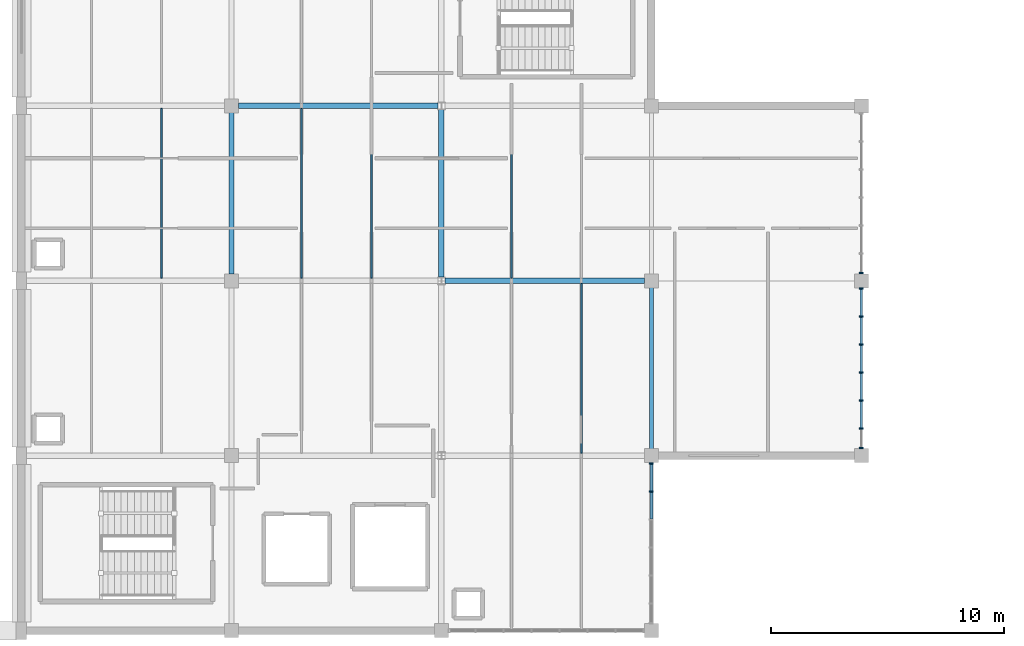
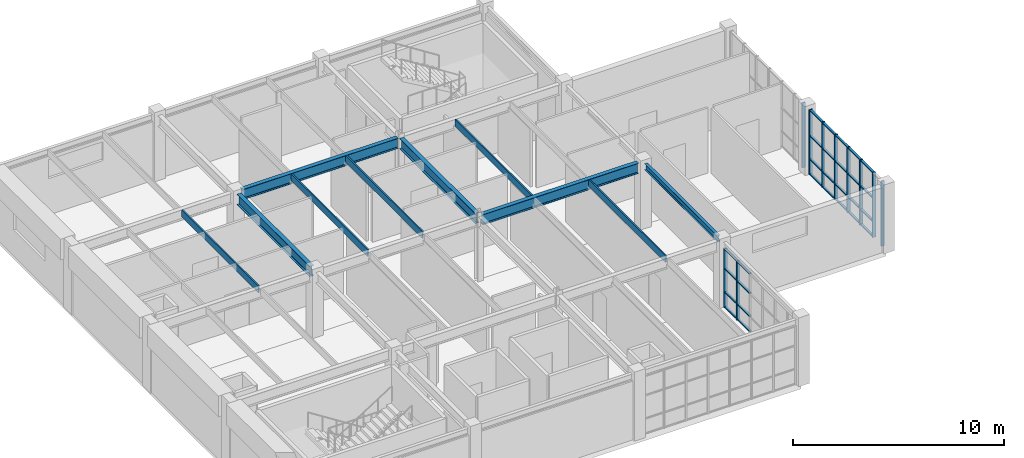
# One storey, part 21 of 76: 38 members, 10 beams, 3 elements without a shape of their own.
"""IFC4 building model written with IfcOpenShell, lengths in metres."""

import ifcopenshell
import ifcopenshell.guid

model = None  # the IFC model being written
_history = None  # IfcOwnerHistory: only IFC2X3 demands one
_inside = {}  # id of a spatial element -> (the spatial element, [elements in it])
_under = {}  # id of a project, library or spatial element -> (it, [spatial elements below it])
_declared = {}  # id of a project -> (the project, [libraries it declares])
_typed = {}  # id of a type object -> (the type object, [elements of that type])
_made_of = {}  # id of a material, layer set ... -> (it, [elements and type objects made of it])


def new_model(schema):
    """Start an empty IFC model of exactly this schema.

    Asked for "IFC4X3", IfcOpenShell would pick the latest addendum, in which some entities
    have other attributes; the version numbers below select the first issue.
    IFC2X3 requires an IfcOwnerHistory on every rooted entity: one is made here for all.
    """
    global model, _history
    if schema == "IFC4X3":
        model = ifcopenshell.file(schema_version=(4, 3, 0, 0))
    else:
        model = ifcopenshell.file(schema=schema)
    _inside.clear()
    _under.clear()
    _declared.clear()
    _typed.clear()
    _made_of.clear()
    _history = None
    if model.schema == "IFC2X3":
        org = make("IfcOrganization", Name="unknown")
        user = make(
            "IfcPersonAndOrganization",
            ThePerson=make("IfcPerson", FamilyName="unknown"),
            TheOrganization=org,
        )
        app = make(
            "IfcApplication",
            ApplicationDeveloper=org,
            Version="unknown",
            ApplicationFullName="unknown",
            ApplicationIdentifier="unknown",
        )
        _history = make(
            "IfcOwnerHistory",
            OwningUser=user,
            OwningApplication=app,
            ChangeAction="ADDED",
            CreationDate=0,
        )
    return model


def make(cls, **values):
    """One entity of the class cls with the attributes given. An attribute that is None is left unset."""
    return model.create_entity(
        cls, **{name: value for name, value in values.items() if value is not None}
    )


def rooted(cls, **values):
    """An entity with a GlobalId (a new one), such as an element, a storey or a relation."""
    return make(cls, GlobalId=ifcopenshell.guid.new(), OwnerHistory=_history, **values)


def si_unit(unit_type, name, prefix=None):
    """IfcSIUnit, for example si_unit("LENGTHUNIT", "METRE", prefix="MILLI")."""
    return make("IfcSIUnit", UnitType=unit_type, Prefix=prefix, Name=name)


def assignment(units):
    """IfcUnitAssignment: the units of a project."""
    return None if units is None else make("IfcUnitAssignment", Units=units)


def point(xyz):
    """IfcCartesianPoint."""
    return None if xyz is None else make("IfcCartesianPoint", Coordinates=xyz)


def direction(xyz):
    """IfcDirection."""
    return None if xyz is None else make("IfcDirection", DirectionRatios=xyz)


def frame(location, z_axis=None, x_axis=None):
    """IfcAxis2Placement3D, a coordinate frame: its origin and axes. An axis left out is left unset."""
    return make(
        "IfcAxis2Placement3D",
        Location=point(location),
        Axis=direction(z_axis),
        RefDirection=direction(x_axis),
    )


def frame_2d(location, x_axis=None):
    """IfcAxis2Placement2D, a coordinate frame in the plane: its origin and x axis."""
    return make(
        "IfcAxis2Placement2D", Location=point(location), RefDirection=direction(x_axis)
    )


def origin():
    """The frame at (0, 0, 0) with its axes left unset."""
    return frame((0.0, 0.0, 0.0))


def origin_2d():
    """The frame at (0, 0) in the plane with its x axis left unset."""
    return frame_2d((0.0, 0.0))


def place(relative_to, where):
    """IfcLocalPlacement: puts the frame where relative to a parent placement (None: the world)."""
    return make(
        "IfcLocalPlacement", PlacementRelTo=relative_to, RelativePlacement=where
    )


def context(
    kind, dimensions, precision=None, world=None, true_north=None, identifier=None
):
    """IfcGeometricRepresentationContext, for example the 3D "Model" context."""
    return make(
        "IfcGeometricRepresentationContext",
        ContextIdentifier=identifier,
        ContextType=kind,
        CoordinateSpaceDimension=dimensions,
        Precision=precision,
        WorldCoordinateSystem=world,
        TrueNorth=true_north,
    )


def subcontext(parent, identifier, kind, view, scale=None):
    """IfcGeometricRepresentationSubContext, for example "Body" below "Model"."""
    return make(
        "IfcGeometricRepresentationSubContext",
        ContextIdentifier=identifier,
        ContextType=kind,
        ParentContext=parent,
        TargetScale=scale,
        TargetView=view,
    )


def project(units=None, contexts=None):
    """IfcProject with its units and contexts."""
    return rooted(
        "IfcProject",
        Name="project",
        RepresentationContexts=contexts,
        UnitsInContext=assignment(units),
    )


def spatial(cls, under=None, at=None, **own):
    """A site, building, storey or space (cls), placed at a placement, below another one or the project."""
    s = rooted(cls, ObjectPlacement=at, **own)
    if under is not None:
        _under.setdefault(under.id(), (under, []))[1].append(s)
    return s


def profile(cls, at=None, kind="AREA", **sizes):
    """A parametric profile (cls). Its sizes go by their IFC names, for example OverallWidth=200.0."""
    return make(cls, ProfileType=kind, Position=at, **sizes)


def rectangle(**sizes):
    """IfcRectangleProfileDef."""
    return profile("IfcRectangleProfileDef", **sizes)


def i_section(**sizes):
    """IfcIShapeProfileDef."""
    return profile("IfcIShapeProfileDef", **sizes)


def extrude(swept, where, along, depth):
    """IfcExtrudedAreaSolid: the profile swept, set in the frame where, extruded along a direction by depth."""
    return make(
        "IfcExtrudedAreaSolid",
        SweptArea=swept,
        Position=where,
        ExtrudedDirection=direction(along),
        Depth=depth,
    )


def shape(context_of_items, identifier, shape_type, items):
    """IfcShapeRepresentation: the items that make up one representation, for example the "Body"."""
    return make(
        "IfcShapeRepresentation",
        ContextOfItems=context_of_items,
        RepresentationIdentifier=identifier,
        RepresentationType=shape_type,
        Items=items,
    )


def material(Name=None, Category=None):
    """IfcMaterial."""
    return make("IfcMaterial", Name=Name, Category=Category)


def layer(
    of_material, thickness, ventilated=None, Name=None, Category=None, Priority=None
):
    """IfcMaterialLayer: one layer of a wall or slab, of a material (None: an air gap)."""
    return make(
        "IfcMaterialLayer",
        Material=of_material,
        LayerThickness=thickness,
        IsVentilated=ventilated,
        Name=Name,
        Category=Category,
        Priority=Priority,
    )


def layer_set(layers, Name=None):
    """IfcMaterialLayerSet."""
    return make("IfcMaterialLayerSet", MaterialLayers=layers, LayerSetName=Name)


def material_profile(
    of_material, cross_section, Name=None, Category=None, Priority=None
):
    """IfcMaterialProfile: a cross section and its material."""
    return make(
        "IfcMaterialProfile",
        Name=Name,
        Material=of_material,
        Profile=cross_section,
        Priority=Priority,
        Category=Category,
    )


def profile_set(profiles, Name=None, composite=None):
    """IfcMaterialProfileSet."""
    return make(
        "IfcMaterialProfileSet",
        Name=Name,
        MaterialProfiles=profiles,
        CompositeProfile=composite,
    )


def made_of(thing, what):
    """Note that an element or type object is made of a material, layer set ...; save() writes the relation."""
    if what is not None:
        _made_of.setdefault(what.id(), (what, []))[1].append(thing)
    return thing


def type_object(cls, material=None, **own):
    """A type object (cls), such as IfcWallType, which elements share."""
    return made_of(rooted(cls, **own), material)


def element(
    cls,
    number,
    at=None,
    inside=None,
    cuts=None,
    type_object=None,
    material=None,
    context=None,
    identifier="Body",
    shape_type=None,
    held_by="IfcProductDefinitionShape",
    body=None,
    shapes=None,
    **own,
):
    """One element of the class cls, such as IfcWall. Its Tag is "e" and its number.

    at: its placement. inside: the storey or other place that contains it. cuts: it is an
    opening in that element (IfcRelVoidsElement). A single representation is given by context,
    identifier, shape_type and body (its items); several are given by shapes. held_by: the class
    of the entity that holds the representations. save() writes the other relations.
    """
    e = rooted(cls, Tag="e%d" % number, ObjectPlacement=at, **own)
    if body is not None:
        shapes = [shape(context, identifier, shape_type, body)]
    if shapes is not None:
        e.Representation = make(held_by, Representations=shapes)
    if inside is not None:
        _inside.setdefault(inside.id(), (inside, []))[1].append(e)
    if cuts is not None:
        rooted(
            "IfcRelVoidsElement", RelatingBuildingElement=cuts, RelatedOpeningElement=e
        )
    if type_object is not None:
        _typed.setdefault(type_object.id(), (type_object, []))[1].append(e)
    return made_of(e, material)


def aggregate(whole, parts):
    """IfcRelAggregates: a whole, such as a stair, and the parts it consists of."""
    return rooted("IfcRelAggregates", RelatingObject=whole, RelatedObjects=parts)


def save(model, path):
    """Write the relations noted so far, then the file.

    IfcRelAggregates (storeys below a building ...), IfcRelContainedInSpatialStructure (elements
    in a storey), IfcRelDefinesByType, IfcRelAssociatesMaterial and IfcRelDeclares: one each for
    every whole, place, type object, material and project.
    """
    for whole, parts in _under.values():
        aggregate(whole, parts)
    for where, things in _inside.values():
        rooted(
            "IfcRelContainedInSpatialStructure",
            RelatedElements=things,
            RelatingStructure=where,
        )
    for kind, things in _typed.values():
        rooted("IfcRelDefinesByType", RelatedObjects=things, RelatingType=kind)
    for what, things in _made_of.values():
        rooted("IfcRelAssociatesMaterial", RelatedObjects=things, RelatingMaterial=what)
    for by, libraries in _declared.values():
        rooted("IfcRelDeclares", RelatingContext=by, RelatedDefinitions=libraries)
    model.write(path)


model = new_model("IFC4")

# Units and contexts
model_context = context("Model", 3, precision=1e-05, world=origin(), true_north=direction((0.0, 1.0)))
body_context = subcontext(model_context, "Body", "Model", "MODEL_VIEW")
ifc_project = project(units=[si_unit("LENGTHUNIT", "METRE"), si_unit("AREAUNIT", "SQUARE_METRE"), si_unit("VOLUMEUNIT", "CUBIC_METRE"), si_unit("PLANEANGLEUNIT", "RADIAN"), si_unit("MASSUNIT", "GRAM", prefix="KILO")], contexts=[model_context])

# Site, building, storey
site_placement = place(None, origin())
site = spatial("IfcSite", under=ifc_project, at=site_placement, CompositionType="ELEMENT")
building_placement = place(site_placement, origin())
building = spatial("IfcBuilding", under=site, at=building_placement, Name="Marnridge Secondary College", CompositionType="ELEMENT")
storey_placement = place(building_placement, frame((0.0, 0.0, 4.5)))
storey = spatial("IfcBuildingStorey", under=building, at=storey_placement, Name="L01", CompositionType="ELEMENT", Elevation=4.5)

# Beams
ifc_material_1 = material(Name="Engineered timber LVL E13.2", Category="wood")
ifc_material_profile_1 = material_profile(ifc_material_1, rectangle(XDim=0.074951171875, YDim=0.39990234375, at=origin_2d()), Name="LVL 75x400")
ifc_profile_set_1 = profile_set([ifc_material_profile_1], Name="Engineered timber LVL E13.2")
beam_type_1 = type_object("IfcBeamType", Name="BM-LVL400-INT", PredefinedType="JOIST", material=ifc_profile_set_1)
for number, where, z_axis, x_axis, name in (
    (1, (96.0, 15.10791015625, 3.570068359375), (0.0, 1.0, 0.0), (-1.0, 0.0, 0.0), "Beam BJ-L01-0547"),
    (2, (102.0, 15.10791015625, 3.570068359375), (0.0, 1.0, 0.0), (-1.0, 0.0, 0.0), "Beam BJ-L01-0552"),
    (3, (105.0, 15.10791015625, 3.570068359375), (0.0, 1.0, 0.0), (-1.0, 0.0, 0.0), "Beam BJ-L01-0553"),
    (4, (114.0, 7.60791015625, 3.570068359375), (0.0, 1.0, 0.0), (-1.0, 0.0, 0.0), "Beam BJ-L01-0559"),
    (5, (111.0, 15.10791015625, 3.570068359375), (0.0, 1.0, 0.0), (-1.0, 0.0, 0.0), "Beam BJ-L01-0560"),
):
    element("IfcBeam", number, at=place(storey_placement, frame(where, z_axis=z_axis, x_axis=x_axis)), inside=storey, type_object=beam_type_1, Name=name, PredefinedType="JOIST", context=body_context, shape_type="SweptSolid", body=[
        extrude(rectangle(XDim=0.074951171875, YDim=0.39990234375, at=origin_2d()), origin(), (0.0, 0.0, 1.0), 7.2841796875),
    ])
ifc_material_2 = material(Name="Structural steel Grade 350 (AS/NZS 3679.1/.2, fy = 340-360 MPa)", Category="steel")
ifc_material_profile_2 = material_profile(ifc_material_2, i_section(OverallWidth=0.1708984375, OverallDepth=0.35205078125, WebThickness=0.0068359375, FlangeThickness=0.009765625, FilletRadius=0.011474609375, at=origin_2d()), Name="360UB44.7")
ifc_profile_set_2 = profile_set([ifc_material_profile_2], Name="Structural steel Grade 350 (AS/NZS 3679.1/.2, fy = 340-360 MPa)")
beam_type_2 = type_object("IfcBeamType", Name="BM-UB360-EXT", PredefinedType="SPANDREL", material=ifc_profile_set_2)
beam_1_placement = place(storey_placement, frame((117.0, 7.7939453125, 3.593994140625), z_axis=(0.0, 1.0, 0.0), x_axis=(-1.0, 0.0, 0.0)))
element("IfcBeam", 6, at=beam_1_placement, inside=storey, type_object=beam_type_2, Name="Beam BS-L01-0539", PredefinedType="SPANDREL", context=body_context, shape_type="SweptSolid", body=[
    extrude(i_section(OverallWidth=0.1708984375, OverallDepth=0.35205078125, WebThickness=0.0068359375, FlangeThickness=0.009765625, FilletRadius=0.011474609375, at=origin_2d()), origin(), (0.0, 0.0, 1.0), 6.912109375),
])
ifc_material_3 = material(Name="Structural steel Grade 350 (AS/NZS 3679.1/.2, fy = 340-360 MPa)", Category="steel")
ifc_material_profile_3 = material_profile(ifc_material_3, i_section(OverallWidth=0.2275390625, OverallDepth=0.602294921875, WebThickness=0.010498046875, FlangeThickness=0.014892578125, FilletRadius=0.013916015625, at=origin_2d()), Name="610UB101")
ifc_profile_set_3 = profile_set([ifc_material_profile_3], Name="Structural steel Grade 350 (AS/NZS 3679.1/.2, fy = 340-360 MPa)")
beam_type_3 = type_object("IfcBeamType", Name="BM-UB610A-INT", PredefinedType="BEAM", material=ifc_profile_set_3)
beam_2_placement = place(storey_placement, frame((99.0, 15.2939453125, 3.468994140625), z_axis=(0.0, 1.0, 0.0), x_axis=(-1.0, 0.0, 0.0)))
element("IfcBeam", 7, at=beam_2_placement, inside=storey, type_object=beam_type_3, Name="Beam B-L01-0523", PredefinedType="BEAM", context=body_context, shape_type="SweptSolid", body=[
    extrude(i_section(OverallWidth=0.2275390625, OverallDepth=0.602294921875, WebThickness=0.010498046875, FlangeThickness=0.014892578125, FilletRadius=0.013916015625, at=origin_2d()), origin(), (0.0, 0.0, 1.0), 6.912109375),
])
beam_3_placement = place(storey_placement, frame((99.2939453125, 22.5, 3.468994140625), z_axis=(1.0, 0.0, 0.0), x_axis=(0.0, 1.0, 0.0)))
element("IfcBeam", 8, at=beam_3_placement, inside=storey, type_object=beam_type_3, Name="Beam B-L01-0531", PredefinedType="BEAM", context=body_context, shape_type="SweptSolid", body=[
    extrude(i_section(OverallWidth=0.2275390625, OverallDepth=0.602294921875, WebThickness=0.010498046875, FlangeThickness=0.014892578125, FilletRadius=0.013916015625, at=origin_2d()), origin(), (0.0, 0.0, 1.0), 8.557373046875),
])
beam_4_placement = place(storey_placement, frame((108.0, 15.154296875, 3.468994140625), z_axis=(0.0, 1.0, 0.0), x_axis=(-1.0, 0.0, 0.0)))
element("IfcBeam", 9, at=beam_4_placement, inside=storey, type_object=beam_type_3, Name="Beam B-L01-0532", PredefinedType="BEAM", context=body_context, shape_type="SweptSolid", body=[
    extrude(i_section(OverallWidth=0.2275390625, OverallDepth=0.602294921875, WebThickness=0.010498046875, FlangeThickness=0.014892578125, FilletRadius=0.013916015625, at=origin_2d()), origin(), (0.0, 0.0, 1.0), 7.19140625),
])
beam_5_placement = place(storey_placement, frame((108.148681640625, 15.0, 3.468994140625), z_axis=(1.0, 0.0, 0.0), x_axis=(0.0, 1.0, 0.0)))
element("IfcBeam", 10, at=beam_5_placement, inside=storey, type_object=beam_type_3, Name="Beam B-L01-0538", PredefinedType="BEAM", context=body_context, shape_type="SweptSolid", body=[
    extrude(i_section(OverallWidth=0.2275390625, OverallDepth=0.602294921875, WebThickness=0.010498046875, FlangeThickness=0.014892578125, FilletRadius=0.013916015625, at=origin_2d()), origin(), (0.0, 0.0, 1.0), 8.557373046875),
])

# Curtain wall, member
ifc_material_4 = material(Name="Thermally broken aluminium and low-E glazing", Category="aluminium")
ifc_layer = layer(ifc_material_4, 0.179931640625)
ifc_layer_set = layer_set([ifc_layer], Name="CW-MOD-1200")
curtain_wall_type = type_object("IfcCurtainWallType", Name="CW-MOD-1200", PredefinedType="NOTDEFINED", material=ifc_layer_set)
curtain_wall_1_placement = place(storey_placement, origin())
curtain_wall_1 = element("IfcCurtainWall", 11, at=curtain_wall_1_placement, inside=storey, type_object=curtain_wall_type, Name="Unitised curtain wall CW-L01-042", PredefinedType="NOTDEFINED")
ifc_material_5 = material(Name="Anodised aluminium 6063-T6", Category="aluminium")
ifc_material_profile_4 = material_profile(ifc_material_5, rectangle(XDim=0.06494140625, YDim=0.179931640625, at=origin_2d()), Name="ALU 65x180")
ifc_profile_set_4 = profile_set([ifc_material_profile_4], Name="Anodised aluminium 6063-T6")
member_type_1 = type_object("IfcMemberType", Name="CWM-ALU180", PredefinedType="MULLION", material=ifc_profile_set_4)
member_1_placement = place(storey_placement, frame((126.0, 15.33642578125, 0.0), z_axis=(0.0, 0.0, 1.0), x_axis=(0.0, -1.0, 0.0)))
member_1 = element("IfcMember", 12, at=member_1_placement, type_object=member_type_1, Name="CW-L01-042 mullion 7", PredefinedType="MULLION", context=body_context, shape_type="SweptSolid", body=[
    extrude(rectangle(XDim=0.06494140625, YDim=0.179931640625, at=origin_2d()), origin(), (0.0, 0.0, 1.0), 3.77001953125),
])
aggregate(curtain_wall_1, [member_1])

# Curtain wall, members
curtain_wall_2_placement = place(storey_placement, origin())
curtain_wall_2 = element("IfcCurtainWall", 13, at=curtain_wall_2_placement, inside=storey, type_object=curtain_wall_type, Name="Unitised curtain wall CW-L01-043", PredefinedType="NOTDEFINED")
member_2_placement = place(storey_placement, frame((126.0, 14.66357421875, 0.0), z_axis=(0.0, 0.0, 1.0), x_axis=(0.0, -1.0, 0.0)))
member_2 = element("IfcMember", 14, at=member_2_placement, type_object=member_type_1, Name="CW-L01-043 mullion 1", PredefinedType="MULLION", context=body_context, shape_type="SweptSolid", body=[
    extrude(rectangle(XDim=0.06494140625, YDim=0.179931640625, at=origin_2d()), origin(), (0.0, 0.0, 1.0), 3.77001953125),
])
member_3_placement = place(storey_placement, frame((126.0, 13.46337890625, 0.0), z_axis=(0.0, 0.0, 1.0), x_axis=(0.0, -1.0, 0.0)))
member_3 = element("IfcMember", 15, at=member_3_placement, type_object=member_type_1, Name="CW-L01-043 mullion 2", PredefinedType="MULLION", context=body_context, shape_type="SweptSolid", body=[
    extrude(rectangle(XDim=0.06494140625, YDim=0.179931640625, at=origin_2d()), origin(), (0.0, 0.0, 1.0), 3.77001953125),
])
member_4_placement = place(storey_placement, frame((126.0, 12.263427734375, 0.0), z_axis=(0.0, 0.0, 1.0), x_axis=(0.0, -1.0, 0.0)))
member_4 = element("IfcMember", 16, at=member_4_placement, type_object=member_type_1, Name="CW-L01-043 mullion 3", PredefinedType="MULLION", context=body_context, shape_type="SweptSolid", body=[
    extrude(rectangle(XDim=0.06494140625, YDim=0.179931640625, at=origin_2d()), origin(), (0.0, 0.0, 1.0), 3.77001953125),
])
member_5_placement = place(storey_placement, frame((126.0, 11.0634765625, 0.0), z_axis=(0.0, 0.0, 1.0), x_axis=(0.0, -1.0, 0.0)))
member_5 = element("IfcMember", 17, at=member_5_placement, type_object=member_type_1, Name="CW-L01-043 mullion 4", PredefinedType="MULLION", context=body_context, shape_type="SweptSolid", body=[
    extrude(rectangle(XDim=0.06494140625, YDim=0.179931640625, at=origin_2d()), origin(), (0.0, 0.0, 1.0), 3.77001953125),
])
member_6_placement = place(storey_placement, frame((126.0, 9.863525390625, 0.0), z_axis=(0.0, 0.0, 1.0), x_axis=(0.0, -1.0, 0.0)))
member_6 = element("IfcMember", 18, at=member_6_placement, type_object=member_type_1, Name="CW-L01-043 mullion 5", PredefinedType="MULLION", context=body_context, shape_type="SweptSolid", body=[
    extrude(rectangle(XDim=0.06494140625, YDim=0.179931640625, at=origin_2d()), origin(), (0.0, 0.0, 1.0), 3.77001953125),
])
member_7_placement = place(storey_placement, frame((126.0, 8.66357421875, 0.0), z_axis=(0.0, 0.0, 1.0), x_axis=(0.0, -1.0, 0.0)))
member_7 = element("IfcMember", 19, at=member_7_placement, type_object=member_type_1, Name="CW-L01-043 mullion 6", PredefinedType="MULLION", context=body_context, shape_type="SweptSolid", body=[
    extrude(rectangle(XDim=0.06494140625, YDim=0.179931640625, at=origin_2d()), origin(), (0.0, 0.0, 1.0), 3.77001953125),
])
member_8_placement = place(storey_placement, frame((126.0, 7.83642578125, 0.0), z_axis=(0.0, 0.0, 1.0), x_axis=(0.0, -1.0, 0.0)))
member_8 = element("IfcMember", 20, at=member_8_placement, type_object=member_type_1, Name="CW-L01-043 mullion 7", PredefinedType="MULLION", context=body_context, shape_type="SweptSolid", body=[
    extrude(rectangle(XDim=0.06494140625, YDim=0.179931640625, at=origin_2d()), origin(), (0.0, 0.0, 1.0), 3.77001953125),
])

curtain_wall_3_placement = place(storey_placement, origin())
curtain_wall_3 = element("IfcCurtainWall", 21, at=curtain_wall_3_placement, inside=storey, type_object=curtain_wall_type, Name="Unitised curtain wall CW-L01-044", PredefinedType="NOTDEFINED")
member_9_placement = place(storey_placement, frame((117.0, 7.16357421875, 0.0), z_axis=(0.0, 0.0, 1.0), x_axis=(0.0, -1.0, 0.0)))
member_9 = element("IfcMember", 22, at=member_9_placement, type_object=member_type_1, Name="CW-L01-044 mullion 1", PredefinedType="MULLION", context=body_context, shape_type="SweptSolid", body=[
    extrude(rectangle(XDim=0.06494140625, YDim=0.179931640625, at=origin_2d()), origin(), (0.0, 0.0, 1.0), 3.409912109375),
])
member_10_placement = place(storey_placement, frame((117.0, 5.96337890625, 0.0), z_axis=(0.0, 0.0, 1.0), x_axis=(0.0, -1.0, 0.0)))
member_10 = element("IfcMember", 23, at=member_10_placement, type_object=member_type_1, Name="CW-L01-044 mullion 2", PredefinedType="MULLION", context=body_context, shape_type="SweptSolid", body=[
    extrude(rectangle(XDim=0.06494140625, YDim=0.179931640625, at=origin_2d()), origin(), (0.0, 0.0, 1.0), 3.409912109375),
])

# Member
ifc_material_6 = material(Name="Anodised aluminium 6063-T6", Category="aluminium")
ifc_material_profile_5 = material_profile(ifc_material_6, rectangle(XDim=0.06005859375, YDim=0.1201171875, at=origin_2d()), Name="ALU 60x120")
ifc_profile_set_5 = profile_set([ifc_material_profile_5], Name="Anodised aluminium 6063-T6")
member_type_2 = type_object("IfcMemberType", Name="CWT-ALU120", PredefinedType="USERDEFINED", material=ifc_profile_set_5)
member_11_placement = place(storey_placement, frame((126.0, 14.631103515625, 0.030029296875), z_axis=(0.0, -1.0, 0.0), x_axis=(0.0, 0.0, 1.0)))
member_11 = element("IfcMember", 24, at=member_11_placement, type_object=member_type_2, Name="CW-L01-043 transom 1.1", ObjectType="TRANSOM", PredefinedType="USERDEFINED", context=body_context, shape_type="SweptSolid", body=[
    extrude(rectangle(XDim=0.06005859375, YDim=0.1201171875, at=origin_2d()), origin(), (0.0, 0.0, 1.0), 1.135009765625),
])

member_12_placement = place(storey_placement, frame((126.0, 14.631103515625, 0.89990234375), z_axis=(0.0, -1.0, 0.0), x_axis=(0.0, 0.0, 1.0)))
member_12 = element("IfcMember", 25, at=member_12_placement, type_object=member_type_2, Name="CW-L01-043 transom 1.2", ObjectType="TRANSOM", PredefinedType="USERDEFINED", context=body_context, shape_type="SweptSolid", body=[
    extrude(rectangle(XDim=0.06005859375, YDim=0.1201171875, at=origin_2d()), origin(), (0.0, 0.0, 1.0), 1.135009765625),
])

member_13_placement = place(storey_placement, frame((126.0, 14.631103515625, 2.25), z_axis=(0.0, -1.0, 0.0), x_axis=(0.0, 0.0, 1.0)))
member_13 = element("IfcMember", 26, at=member_13_placement, type_object=member_type_2, Name="CW-L01-043 transom 1.3", ObjectType="TRANSOM", PredefinedType="USERDEFINED", context=body_context, shape_type="SweptSolid", body=[
    extrude(rectangle(XDim=0.06005859375, YDim=0.1201171875, at=origin_2d()), origin(), (0.0, 0.0, 1.0), 1.135009765625),
])

member_14_placement = place(storey_placement, frame((126.0, 14.631103515625, 3.739990234375), z_axis=(0.0, -1.0, 0.0), x_axis=(0.0, 0.0, 1.0)))
member_14 = element("IfcMember", 27, at=member_14_placement, type_object=member_type_2, Name="CW-L01-043 transom 1.4", ObjectType="TRANSOM", PredefinedType="USERDEFINED", context=body_context, shape_type="SweptSolid", body=[
    extrude(rectangle(XDim=0.06005859375, YDim=0.1201171875, at=origin_2d()), origin(), (0.0, 0.0, 1.0), 1.135009765625),
])

member_15_placement = place(storey_placement, frame((126.0, 13.430908203125, 0.030029296875), z_axis=(0.0, -1.0, 0.0), x_axis=(0.0, 0.0, 1.0)))
member_15 = element("IfcMember", 28, at=member_15_placement, type_object=member_type_2, Name="CW-L01-043 transom 2.1", ObjectType="TRANSOM", PredefinedType="USERDEFINED", context=body_context, shape_type="SweptSolid", body=[
    extrude(rectangle(XDim=0.06005859375, YDim=0.1201171875, at=origin_2d()), origin(), (0.0, 0.0, 1.0), 1.135009765625),
])

member_16_placement = place(storey_placement, frame((126.0, 13.430908203125, 0.89990234375), z_axis=(0.0, -1.0, 0.0), x_axis=(0.0, 0.0, 1.0)))
member_16 = element("IfcMember", 29, at=member_16_placement, type_object=member_type_2, Name="CW-L01-043 transom 2.2", ObjectType="TRANSOM", PredefinedType="USERDEFINED", context=body_context, shape_type="SweptSolid", body=[
    extrude(rectangle(XDim=0.06005859375, YDim=0.1201171875, at=origin_2d()), origin(), (0.0, 0.0, 1.0), 1.135009765625),
])

member_17_placement = place(storey_placement, frame((126.0, 13.430908203125, 2.25), z_axis=(0.0, -1.0, 0.0), x_axis=(0.0, 0.0, 1.0)))
member_17 = element("IfcMember", 30, at=member_17_placement, type_object=member_type_2, Name="CW-L01-043 transom 2.3", ObjectType="TRANSOM", PredefinedType="USERDEFINED", context=body_context, shape_type="SweptSolid", body=[
    extrude(rectangle(XDim=0.06005859375, YDim=0.1201171875, at=origin_2d()), origin(), (0.0, 0.0, 1.0), 1.135009765625),
])

member_18_placement = place(storey_placement, frame((126.0, 13.430908203125, 3.739990234375), z_axis=(0.0, -1.0, 0.0), x_axis=(0.0, 0.0, 1.0)))
member_18 = element("IfcMember", 31, at=member_18_placement, type_object=member_type_2, Name="CW-L01-043 transom 2.4", ObjectType="TRANSOM", PredefinedType="USERDEFINED", context=body_context, shape_type="SweptSolid", body=[
    extrude(rectangle(XDim=0.06005859375, YDim=0.1201171875, at=origin_2d()), origin(), (0.0, 0.0, 1.0), 1.135009765625),
])

member_19_placement = place(storey_placement, frame((126.0, 12.23095703125, 0.030029296875), z_axis=(0.0, -1.0, 0.0), x_axis=(0.0, 0.0, 1.0)))
member_19 = element("IfcMember", 32, at=member_19_placement, type_object=member_type_2, Name="CW-L01-043 transom 3.1", ObjectType="TRANSOM", PredefinedType="USERDEFINED", context=body_context, shape_type="SweptSolid", body=[
    extrude(rectangle(XDim=0.06005859375, YDim=0.1201171875, at=origin_2d()), origin(), (0.0, 0.0, 1.0), 1.135009765625),
])

member_20_placement = place(storey_placement, frame((126.0, 12.23095703125, 0.89990234375), z_axis=(0.0, -1.0, 0.0), x_axis=(0.0, 0.0, 1.0)))
member_20 = element("IfcMember", 33, at=member_20_placement, type_object=member_type_2, Name="CW-L01-043 transom 3.2", ObjectType="TRANSOM", PredefinedType="USERDEFINED", context=body_context, shape_type="SweptSolid", body=[
    extrude(rectangle(XDim=0.06005859375, YDim=0.1201171875, at=origin_2d()), origin(), (0.0, 0.0, 1.0), 1.135009765625),
])

member_21_placement = place(storey_placement, frame((126.0, 12.23095703125, 2.25), z_axis=(0.0, -1.0, 0.0), x_axis=(0.0, 0.0, 1.0)))
member_21 = element("IfcMember", 34, at=member_21_placement, type_object=member_type_2, Name="CW-L01-043 transom 3.3", ObjectType="TRANSOM", PredefinedType="USERDEFINED", context=body_context, shape_type="SweptSolid", body=[
    extrude(rectangle(XDim=0.06005859375, YDim=0.1201171875, at=origin_2d()), origin(), (0.0, 0.0, 1.0), 1.135009765625),
])

member_22_placement = place(storey_placement, frame((126.0, 12.23095703125, 3.739990234375), z_axis=(0.0, -1.0, 0.0), x_axis=(0.0, 0.0, 1.0)))
member_22 = element("IfcMember", 35, at=member_22_placement, type_object=member_type_2, Name="CW-L01-043 transom 3.4", ObjectType="TRANSOM", PredefinedType="USERDEFINED", context=body_context, shape_type="SweptSolid", body=[
    extrude(rectangle(XDim=0.06005859375, YDim=0.1201171875, at=origin_2d()), origin(), (0.0, 0.0, 1.0), 1.135009765625),
])

member_23_placement = place(storey_placement, frame((126.0, 11.031005859375, 0.030029296875), z_axis=(0.0, -1.0, 0.0), x_axis=(0.0, 0.0, 1.0)))
member_23 = element("IfcMember", 36, at=member_23_placement, type_object=member_type_2, Name="CW-L01-043 transom 4.1", ObjectType="TRANSOM", PredefinedType="USERDEFINED", context=body_context, shape_type="SweptSolid", body=[
    extrude(rectangle(XDim=0.06005859375, YDim=0.1201171875, at=origin_2d()), origin(), (0.0, 0.0, 1.0), 1.135009765625),
])

member_24_placement = place(storey_placement, frame((126.0, 11.031005859375, 0.89990234375), z_axis=(0.0, -1.0, 0.0), x_axis=(0.0, 0.0, 1.0)))
member_24 = element("IfcMember", 37, at=member_24_placement, type_object=member_type_2, Name="CW-L01-043 transom 4.2", ObjectType="TRANSOM", PredefinedType="USERDEFINED", context=body_context, shape_type="SweptSolid", body=[
    extrude(rectangle(XDim=0.06005859375, YDim=0.1201171875, at=origin_2d()), origin(), (0.0, 0.0, 1.0), 1.135009765625),
])

member_25_placement = place(storey_placement, frame((126.0, 11.031005859375, 2.25), z_axis=(0.0, -1.0, 0.0), x_axis=(0.0, 0.0, 1.0)))
member_25 = element("IfcMember", 38, at=member_25_placement, type_object=member_type_2, Name="CW-L01-043 transom 4.3", ObjectType="TRANSOM", PredefinedType="USERDEFINED", context=body_context, shape_type="SweptSolid", body=[
    extrude(rectangle(XDim=0.06005859375, YDim=0.1201171875, at=origin_2d()), origin(), (0.0, 0.0, 1.0), 1.135009765625),
])

member_26_placement = place(storey_placement, frame((126.0, 11.031005859375, 3.739990234375), z_axis=(0.0, -1.0, 0.0), x_axis=(0.0, 0.0, 1.0)))
member_26 = element("IfcMember", 39, at=member_26_placement, type_object=member_type_2, Name="CW-L01-043 transom 4.4", ObjectType="TRANSOM", PredefinedType="USERDEFINED", context=body_context, shape_type="SweptSolid", body=[
    extrude(rectangle(XDim=0.06005859375, YDim=0.1201171875, at=origin_2d()), origin(), (0.0, 0.0, 1.0), 1.135009765625),
])

member_27_placement = place(storey_placement, frame((126.0, 9.8310546875, 0.030029296875), z_axis=(0.0, -1.0, 0.0), x_axis=(0.0, 0.0, 1.0)))
member_27 = element("IfcMember", 40, at=member_27_placement, type_object=member_type_2, Name="CW-L01-043 transom 5.1", ObjectType="TRANSOM", PredefinedType="USERDEFINED", context=body_context, shape_type="SweptSolid", body=[
    extrude(rectangle(XDim=0.06005859375, YDim=0.1201171875, at=origin_2d()), origin(), (0.0, 0.0, 1.0), 1.135009765625),
])

member_28_placement = place(storey_placement, frame((126.0, 9.8310546875, 0.89990234375), z_axis=(0.0, -1.0, 0.0), x_axis=(0.0, 0.0, 1.0)))
member_28 = element("IfcMember", 41, at=member_28_placement, type_object=member_type_2, Name="CW-L01-043 transom 5.2", ObjectType="TRANSOM", PredefinedType="USERDEFINED", context=body_context, shape_type="SweptSolid", body=[
    extrude(rectangle(XDim=0.06005859375, YDim=0.1201171875, at=origin_2d()), origin(), (0.0, 0.0, 1.0), 1.135009765625),
])

member_29_placement = place(storey_placement, frame((126.0, 9.8310546875, 2.25), z_axis=(0.0, -1.0, 0.0), x_axis=(0.0, 0.0, 1.0)))
member_29 = element("IfcMember", 42, at=member_29_placement, type_object=member_type_2, Name="CW-L01-043 transom 5.3", ObjectType="TRANSOM", PredefinedType="USERDEFINED", context=body_context, shape_type="SweptSolid", body=[
    extrude(rectangle(XDim=0.06005859375, YDim=0.1201171875, at=origin_2d()), origin(), (0.0, 0.0, 1.0), 1.135009765625),
])

member_30_placement = place(storey_placement, frame((126.0, 9.8310546875, 3.739990234375), z_axis=(0.0, -1.0, 0.0), x_axis=(0.0, 0.0, 1.0)))
member_30 = element("IfcMember", 43, at=member_30_placement, type_object=member_type_2, Name="CW-L01-043 transom 5.4", ObjectType="TRANSOM", PredefinedType="USERDEFINED", context=body_context, shape_type="SweptSolid", body=[
    extrude(rectangle(XDim=0.06005859375, YDim=0.1201171875, at=origin_2d()), origin(), (0.0, 0.0, 1.0), 1.135009765625),
])

aggregate(curtain_wall_2, [member_2, member_3, member_4, member_5, member_6, member_7, member_8, member_11, member_12, member_13, member_14, member_15, member_16, member_17, member_18, member_19, member_20, member_21, member_22, member_23, member_24, member_25, member_26, member_27, member_28, member_29, member_30])

member_31_placement = place(storey_placement, frame((117.0, 7.131103515625, 0.030029296875), z_axis=(0.0, -1.0, 0.0), x_axis=(0.0, 0.0, 1.0)))
member_31 = element("IfcMember", 44, at=member_31_placement, type_object=member_type_2, Name="CW-L01-044 transom 1.1", ObjectType="TRANSOM", PredefinedType="USERDEFINED", context=body_context, shape_type="SweptSolid", body=[
    extrude(rectangle(XDim=0.06005859375, YDim=0.1201171875, at=origin_2d()), origin(), (0.0, 0.0, 1.0), 1.135009765625),
])

member_32_placement = place(storey_placement, frame((117.0, 7.131103515625, 0.89990234375), z_axis=(0.0, -1.0, 0.0), x_axis=(0.0, 0.0, 1.0)))
member_32 = element("IfcMember", 45, at=member_32_placement, type_object=member_type_2, Name="CW-L01-044 transom 1.2", ObjectType="TRANSOM", PredefinedType="USERDEFINED", context=body_context, shape_type="SweptSolid", body=[
    extrude(rectangle(XDim=0.06005859375, YDim=0.1201171875, at=origin_2d()), origin(), (0.0, 0.0, 1.0), 1.135009765625),
])

member_33_placement = place(storey_placement, frame((117.0, 7.131103515625, 2.25), z_axis=(0.0, -1.0, 0.0), x_axis=(0.0, 0.0, 1.0)))
member_33 = element("IfcMember", 46, at=member_33_placement, type_object=member_type_2, Name="CW-L01-044 transom 1.3", ObjectType="TRANSOM", PredefinedType="USERDEFINED", context=body_context, shape_type="SweptSolid", body=[
    extrude(rectangle(XDim=0.06005859375, YDim=0.1201171875, at=origin_2d()), origin(), (0.0, 0.0, 1.0), 1.135009765625),
])

member_34_placement = place(storey_placement, frame((117.0, 7.131103515625, 3.3798828125), z_axis=(0.0, -1.0, 0.0), x_axis=(0.0, 0.0, 1.0)))
member_34 = element("IfcMember", 47, at=member_34_placement, type_object=member_type_2, Name="CW-L01-044 transom 1.4", ObjectType="TRANSOM", PredefinedType="USERDEFINED", context=body_context, shape_type="SweptSolid", body=[
    extrude(rectangle(XDim=0.06005859375, YDim=0.1201171875, at=origin_2d()), origin(), (0.0, 0.0, 1.0), 1.135009765625),
])

member_35_placement = place(storey_placement, frame((117.0, 5.930908203125, 0.030029296875), z_axis=(0.0, -1.0, 0.0), x_axis=(0.0, 0.0, 1.0)))
member_35 = element("IfcMember", 48, at=member_35_placement, type_object=member_type_2, Name="CW-L01-044 transom 2.1", ObjectType="TRANSOM", PredefinedType="USERDEFINED", context=body_context, shape_type="SweptSolid", body=[
    extrude(rectangle(XDim=0.06005859375, YDim=0.1201171875, at=origin_2d()), origin(), (0.0, 0.0, 1.0), 1.135009765625),
])

member_36_placement = place(storey_placement, frame((117.0, 5.930908203125, 0.89990234375), z_axis=(0.0, -1.0, 0.0), x_axis=(0.0, 0.0, 1.0)))
member_36 = element("IfcMember", 49, at=member_36_placement, type_object=member_type_2, Name="CW-L01-044 transom 2.2", ObjectType="TRANSOM", PredefinedType="USERDEFINED", context=body_context, shape_type="SweptSolid", body=[
    extrude(rectangle(XDim=0.06005859375, YDim=0.1201171875, at=origin_2d()), origin(), (0.0, 0.0, 1.0), 1.135009765625),
])

member_37_placement = place(storey_placement, frame((117.0, 5.930908203125, 2.25), z_axis=(0.0, -1.0, 0.0), x_axis=(0.0, 0.0, 1.0)))
member_37 = element("IfcMember", 50, at=member_37_placement, type_object=member_type_2, Name="CW-L01-044 transom 2.3", ObjectType="TRANSOM", PredefinedType="USERDEFINED", context=body_context, shape_type="SweptSolid", body=[
    extrude(rectangle(XDim=0.06005859375, YDim=0.1201171875, at=origin_2d()), origin(), (0.0, 0.0, 1.0), 1.135009765625),
])

member_38_placement = place(storey_placement, frame((117.0, 5.930908203125, 3.3798828125), z_axis=(0.0, -1.0, 0.0), x_axis=(0.0, 0.0, 1.0)))
member_38 = element("IfcMember", 51, at=member_38_placement, type_object=member_type_2, Name="CW-L01-044 transom 2.4", ObjectType="TRANSOM", PredefinedType="USERDEFINED", context=body_context, shape_type="SweptSolid", body=[
    extrude(rectangle(XDim=0.06005859375, YDim=0.1201171875, at=origin_2d()), origin(), (0.0, 0.0, 1.0), 1.135009765625),
])

aggregate(curtain_wall_3, [member_9, member_10, member_31, member_32, member_33, member_34, member_35, member_36, member_37, member_38])

save(model, "model.ifc")
